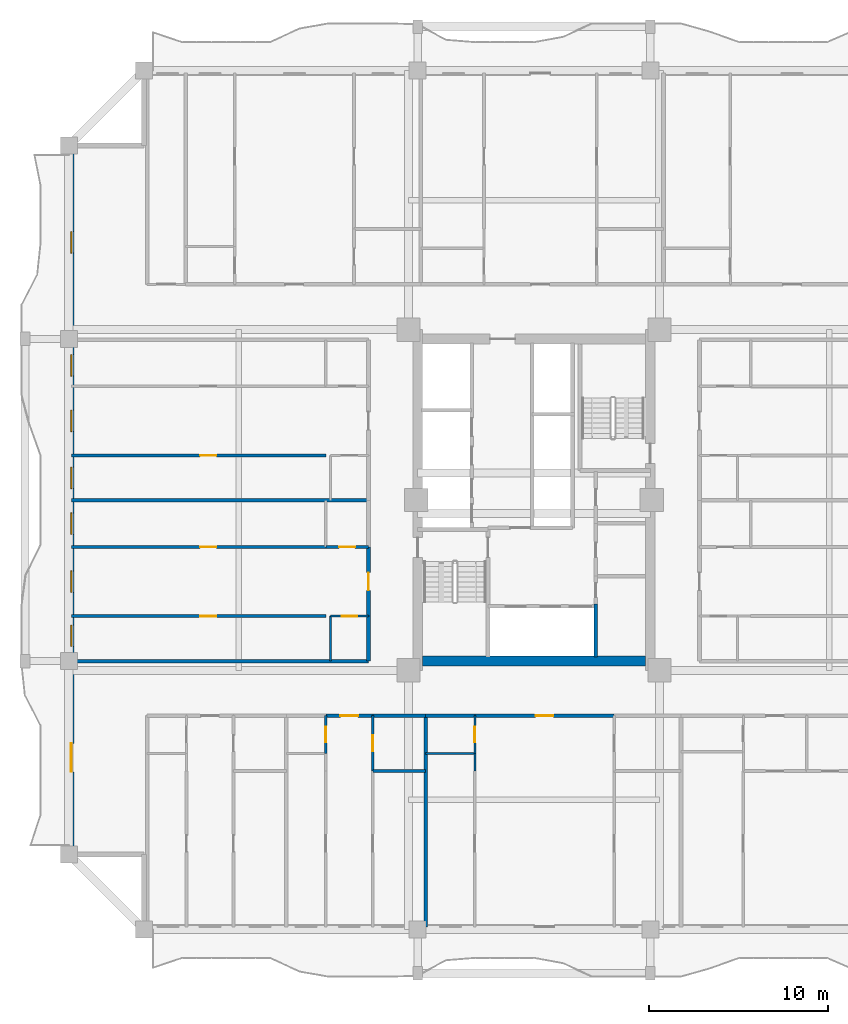
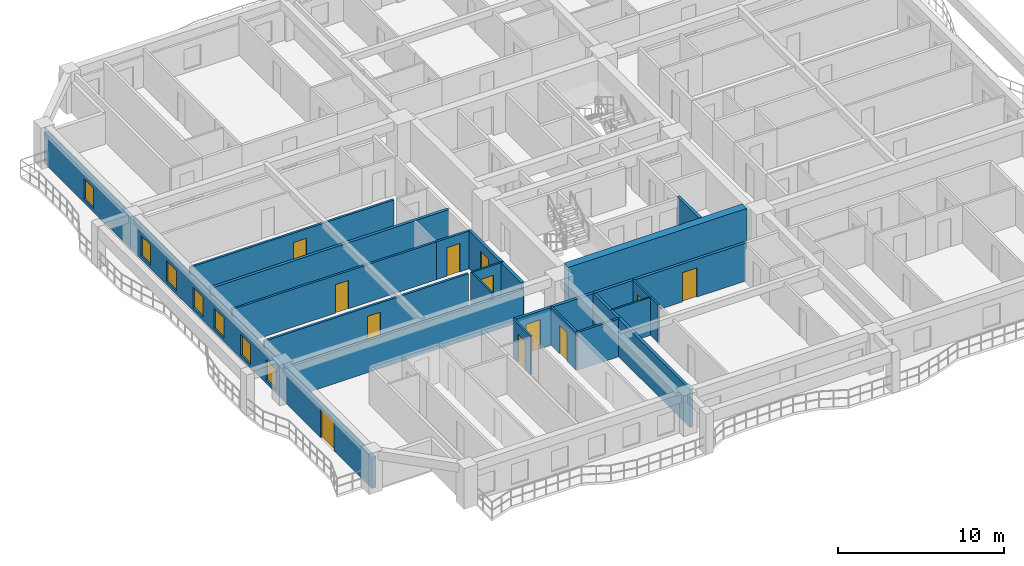
# One storey, part 3 of 15: 24 walls, 12 doors, 7 windows, 19 openings.
"""IFC4 building model written with IfcOpenShell, lengths in metres."""

from ifc_helpers import new_model, si_unit, direction, frame, frame_2d, origin, place, context, subcontext, project, spatial, rectangle, extrude, source, transform, mapped, material, layer, layer_set, type_object, element, fill, save


model = new_model("IFC4")

# Units and contexts
model_context = context("Model", 3, precision=1e-05, world=origin(), true_north=direction((0.0, 1.0)))
body_context = subcontext(model_context, "Body", "Model", "MODEL_VIEW")
ifc_project = project(units=[si_unit("LENGTHUNIT", "METRE"), si_unit("AREAUNIT", "SQUARE_METRE"), si_unit("VOLUMEUNIT", "CUBIC_METRE"), si_unit("PLANEANGLEUNIT", "RADIAN"), si_unit("MASSUNIT", "GRAM", prefix="KILO")], contexts=[model_context])

# Site, building, storey
site_placement = place(None, origin())
site = spatial("IfcSite", under=ifc_project, at=site_placement, CompositionType="ELEMENT")
building_placement = place(site_placement, origin())
building = spatial("IfcBuilding", under=site, at=building_placement, Name="Saelheon Loggia Tower", CompositionType="ELEMENT")
storey_placement = place(building_placement, frame((0.0, 0.0, 77.85009765625)))
storey = spatial("IfcBuildingStorey", under=building, at=storey_placement, Name="L24", CompositionType="ELEMENT", Elevation=77.85009765625)

# Wall
ifc_material_1 = material(Name="Concrete C50/60", Category="concrete")
ifc_layer_1 = layer(ifc_material_1, 0.550048828125)
ifc_layer_set_1 = layer_set([ifc_layer_1], Name="Concrete C50/60")
wall_type_1 = type_object("IfcWallType", Name="Wall_CoreShear_550", PredefinedType="SHEAR", material=ifc_layer_set_1)
wall_1_placement = place(storey_placement, frame((31.77490234375, 18.0, 0.0), z_axis=(0.0, 0.0, 1.0), x_axis=(1.0, 0.0, 0.0)))
element("IfcWall", 1, at=wall_1_placement, inside=storey, type_object=wall_type_1, Name="L24 Core Shear Wall South", PredefinedType="SHEAR", context=body_context, shape_type="SweptSolid", body=[
    extrude(rectangle(XDim=12.4501953125, YDim=0.550048828125, at=frame_2d((6.22509765625, 0.0))), origin(), (0.0, 0.0, 1.0), 3.0),
])

# Wall, openings, windows, door
ifc_material_2 = material(Name="Architectural Precast Concrete C40/50", Category="concrete")
ifc_layer_2 = layer(ifc_material_2, 0.280029296875)
ifc_layer_set_2 = layer_set([ifc_layer_2], Name="Architectural Precast Concrete C40/50")
wall_type_2 = type_object("IfcWallType", Name="Wall_Ext_Loggia_280", PredefinedType="SOLIDWALL", material=ifc_layer_set_2)
wall_2_placement = place(storey_placement, frame((12.139892578125, 7.199951171875, 0.0), z_axis=(0.0, 0.0, 1.0), x_axis=(0.0, 1.0, 0.0)))
wall_2 = element("IfcWall", 2, at=wall_2_placement, inside=storey, type_object=wall_type_2, Name="L24 West Loggia Inner Wall", PredefinedType="SOLIDWALL", context=body_context, shape_type="SweptSolid", body=[
    extrude(rectangle(XDim=39.60009765625, YDim=0.280029296875, at=frame_2d((19.800048828125, 0.0))), origin(), (0.0, 0.0, 1.0), 2.27978515625),
])
opening_1_placement = place(wall_2_placement, frame((4.60009765625, 0.0, 0.0)))
opening_1 = element("IfcOpeningElement", 3, at=opening_1_placement, cuts=wall_2, Name="Opening DLG-1", PredefinedType="OPENING", context=body_context, shape_type="SweptSolid", body=[
    extrude(rectangle(XDim=1.60009765625, YDim=2.14990234375, at=frame_2d((0.800048828125, 1.074951171875))), frame((0.0, 0.152099609375, 0.0), z_axis=(0.0, -1.0, 0.0), x_axis=(1.0, 0.0, 0.0)), (0.0, 0.0, 1.0), 0.303955078125),
])
opening_2_placement = place(wall_2_placement, frame((11.614013671875, 0.0, 0.25)))
opening_2 = element("IfcOpeningElement", 4, at=opening_2_placement, cuts=wall_2, Name="Opening WN-03", PredefinedType="OPENING", context=body_context, shape_type="SweptSolid", body=[
    extrude(rectangle(XDim=1.199951171875, YDim=1.5, at=frame_2d((0.60009765625, 0.75))), frame((0.0, 0.152099609375, 0.0), z_axis=(0.0, -1.0, 0.0), x_axis=(1.0, 0.0, 0.0)), (0.0, 0.0, 1.0), 0.303955078125),
])
opening_3_placement = place(wall_2_placement, frame((14.64404296875, 0.0, 0.25)))
opening_3 = element("IfcOpeningElement", 5, at=opening_3_placement, cuts=wall_2, Name="Opening WN-03", PredefinedType="OPENING", context=body_context, shape_type="SweptSolid", body=[
    extrude(rectangle(XDim=1.199951171875, YDim=1.5, at=frame_2d((0.60009765625, 0.75))), frame((0.0, 0.152099609375, 0.0), z_axis=(0.0, -1.0, 0.0), x_axis=(1.0, 0.0, 0.0)), (0.0, 0.0, 1.0), 0.303955078125),
])
opening_4_placement = place(wall_2_placement, frame((17.875, 0.0, 0.25)))
opening_4 = element("IfcOpeningElement", 6, at=opening_4_placement, cuts=wall_2, Name="Opening WN-03", PredefinedType="OPENING", context=body_context, shape_type="SweptSolid", body=[
    extrude(rectangle(XDim=1.199951171875, YDim=1.5, at=frame_2d((0.60009765625, 0.75))), frame((0.0, 0.152099609375, 0.0), z_axis=(0.0, -1.0, 0.0), x_axis=(1.0, 0.0, 0.0)), (0.0, 0.0, 1.0), 0.303955078125),
])
opening_5_placement = place(wall_2_placement, frame((20.431396484375, 0.0, 0.25)))
opening_5 = element("IfcOpeningElement", 7, at=opening_5_placement, cuts=wall_2, Name="Opening WN-03", PredefinedType="OPENING", context=body_context, shape_type="SweptSolid", body=[
    extrude(rectangle(XDim=1.199951171875, YDim=1.5, at=frame_2d((0.60009765625, 0.75))), frame((0.0, 0.152099609375, 0.0), z_axis=(0.0, -1.0, 0.0), x_axis=(1.0, 0.0, 0.0)), (0.0, 0.0, 1.0), 0.303955078125),
])
opening_6_placement = place(wall_2_placement, frame((23.618896484375, 0.0, 0.25)))
opening_6 = element("IfcOpeningElement", 8, at=opening_6_placement, cuts=wall_2, Name="Opening WN-03", PredefinedType="OPENING", context=body_context, shape_type="SweptSolid", body=[
    extrude(rectangle(XDim=1.199951171875, YDim=1.5, at=frame_2d((0.60009765625, 0.75))), frame((0.0, 0.152099609375, 0.0), z_axis=(0.0, -1.0, 0.0), x_axis=(1.0, 0.0, 0.0)), (0.0, 0.0, 1.0), 0.303955078125),
])
opening_7_placement = place(wall_2_placement, frame((26.717529296875, 0.0, 0.25)))
opening_7 = element("IfcOpeningElement", 9, at=opening_7_placement, cuts=wall_2, Name="Opening WN-03", PredefinedType="OPENING", context=body_context, shape_type="SweptSolid", body=[
    extrude(rectangle(XDim=1.199951171875, YDim=1.5, at=frame_2d((0.60009765625, 0.75))), frame((0.0, 0.152099609375, 0.0), z_axis=(0.0, -1.0, 0.0), x_axis=(1.0, 0.0, 0.0)), (0.0, 0.0, 1.0), 0.303955078125),
])
opening_8_placement = place(wall_2_placement, frame((33.60009765625, 0.0, 0.25)))
opening_8 = element("IfcOpeningElement", 10, at=opening_8_placement, cuts=wall_2, Name="Opening WN-03", PredefinedType="OPENING", context=body_context, shape_type="SweptSolid", body=[
    extrude(rectangle(XDim=1.199951171875, YDim=1.5, at=frame_2d((0.60009765625, 0.75))), frame((0.0, 0.152099609375, 0.0), z_axis=(0.0, -1.0, 0.0), x_axis=(1.0, 0.0, 0.0)), (0.0, 0.0, 1.0), 0.303955078125),
])
ifc_material_3 = material(Name="Thermal-Break Aluminium and Triple Low-E Glass", Category="aluminium")
window_type = type_object("IfcWindowType", Name="Win_Bedroom_1200x1500", PartitioningType="SINGLE_PANEL", PredefinedType="WINDOW", material=ifc_material_3)
shared_shape_1 = source(origin(), body_context, "Body", "SweptSolid", [
    extrude(rectangle(XDim=1.199951171875, YDim=1.5, at=frame_2d((0.60009765625, 0.75))), frame((0.0, 0.030029296875, 0.0), z_axis=(0.0, -1.0, 0.0), x_axis=(1.0, 0.0, 0.0)), (0.0, 0.0, 1.0), 0.06005859375),
])
window_1_placement = place(opening_2_placement, origin())
window_1 = element("IfcWindow", 11, at=window_1_placement, inside=storey, type_object=window_type, Name="L24 W Dwelling Window 2", OverallHeight=1.5, OverallWidth=1.199951171875, PartitioningType="SINGLE_PANEL", PredefinedType="WINDOW", context=body_context, shape_type="MappedRepresentation", body=[
    mapped(shared_shape_1, transform((0.0, 0.0, 0.0), scale=1.0)),
])
fill(opening_2, window_1)
window_2_placement = place(opening_3_placement, origin())
window_2 = element("IfcWindow", 12, at=window_2_placement, inside=storey, type_object=window_type, Name="L24 W Dwelling Window 3", OverallHeight=1.5, OverallWidth=1.199951171875, PartitioningType="SINGLE_PANEL", PredefinedType="WINDOW", context=body_context, shape_type="MappedRepresentation", body=[
    mapped(shared_shape_1, transform((0.0, 0.0, 0.0), scale=1.0)),
])
fill(opening_3, window_2)
window_3_placement = place(opening_4_placement, origin())
window_3 = element("IfcWindow", 13, at=window_3_placement, inside=storey, type_object=window_type, Name="L24 W Dwelling Window 4", OverallHeight=1.5, OverallWidth=1.199951171875, PartitioningType="SINGLE_PANEL", PredefinedType="WINDOW", context=body_context, shape_type="MappedRepresentation", body=[
    mapped(shared_shape_1, transform((0.0, 0.0, 0.0), scale=1.0)),
])
fill(opening_4, window_3)
window_4_placement = place(opening_5_placement, origin())
window_4 = element("IfcWindow", 14, at=window_4_placement, inside=storey, type_object=window_type, Name="L24 W Dwelling Window 5", OverallHeight=1.5, OverallWidth=1.199951171875, PartitioningType="SINGLE_PANEL", PredefinedType="WINDOW", context=body_context, shape_type="MappedRepresentation", body=[
    mapped(shared_shape_1, transform((0.0, 0.0, 0.0), scale=1.0)),
])
fill(opening_5, window_4)
window_5_placement = place(opening_6_placement, origin())
window_5 = element("IfcWindow", 15, at=window_5_placement, inside=storey, type_object=window_type, Name="L24 W Dwelling Window 6", OverallHeight=1.5, OverallWidth=1.199951171875, PartitioningType="SINGLE_PANEL", PredefinedType="WINDOW", context=body_context, shape_type="MappedRepresentation", body=[
    mapped(shared_shape_1, transform((0.0, 0.0, 0.0), scale=1.0)),
])
fill(opening_6, window_5)
window_6_placement = place(opening_7_placement, origin())
window_6 = element("IfcWindow", 16, at=window_6_placement, inside=storey, type_object=window_type, Name="L24 W Dwelling Window 7", OverallHeight=1.5, OverallWidth=1.199951171875, PartitioningType="SINGLE_PANEL", PredefinedType="WINDOW", context=body_context, shape_type="MappedRepresentation", body=[
    mapped(shared_shape_1, transform((0.0, 0.0, 0.0), scale=1.0)),
])
fill(opening_7, window_6)
window_7_placement = place(opening_8_placement, origin())
window_7 = element("IfcWindow", 17, at=window_7_placement, inside=storey, type_object=window_type, Name="L24 W Dwelling Window 8", OverallHeight=1.5, OverallWidth=1.199951171875, PartitioningType="SINGLE_PANEL", PredefinedType="WINDOW", context=body_context, shape_type="MappedRepresentation", body=[
    mapped(shared_shape_1, transform((0.0, 0.0, 0.0), scale=1.0)),
])
fill(opening_8, window_7)
ifc_material_4 = material(Name="Thermal-Break Aluminium Sliding Glazed Door", Category="aluminium")
door_type_1 = type_object("IfcDoorType", Name="Door_LoggiaSlide_1600", OperationType="SLIDING_TO_LEFT", PredefinedType="DOOR", material=ifc_material_4)
shared_shape_2 = source(origin(), body_context, "Body", "SweptSolid", [
    extrude(rectangle(XDim=1.60009765625, YDim=2.14990234375, at=frame_2d((0.800048828125, 1.074951171875))), frame((0.0, 0.02490234375, 0.0), z_axis=(0.0, -1.0, 0.0), x_axis=(1.0, 0.0, 0.0)), (0.0, 0.0, 1.0), 0.050048828125),
])
door_1_placement = place(opening_1_placement, origin())
door_1 = element("IfcDoor", 18, at=door_1_placement, inside=storey, type_object=door_type_1, Name="L24 W Loggia Access Door", OperationType="SLIDING_TO_LEFT", OverallHeight=2.14990234375, OverallWidth=1.60009765625, PredefinedType="DOOR", context=body_context, shape_type="MappedRepresentation", body=[
    mapped(shared_shape_2, transform((0.0, 0.0, 0.0), scale=1.0)),
])
fill(opening_1, door_1)

# Wall
ifc_material_5 = material(Name="Lightweight Autoclaved Aerated Concrete Block and Acoustic Gypsum", Category="concrete")
ifc_layer_3 = layer(ifc_material_5, 0.14990234375)
ifc_layer_set_3 = layer_set([ifc_layer_3], Name="Lightweight Autoclaved Aerated Concrete Block and Acoustic Gypsum")
wall_type_3 = type_object("IfcWallType", Name="Wall_Part_150", PredefinedType="PARTITIONING", material=ifc_layer_set_3)
wall_3_placement = place(storey_placement, frame((28.98876953125, 11.85009765625, 0.0), z_axis=(0.0, 0.0, 1.0), x_axis=(1.0, 0.0, 0.0)))
element("IfcWall", 19, at=wall_3_placement, inside=storey, type_object=wall_type_3, Name="L24 S Partition V18", PredefinedType="PARTITIONING", context=body_context, shape_type="SweptSolid", body=[
    extrude(rectangle(XDim=2.95751953125, YDim=0.14990234375, at=frame_2d((1.478759765625, 0.0))), origin(), (0.0, 0.0, 1.0), 2.789794921875),
])

# Wall, opening, door
wall_4_placement = place(storey_placement, frame((28.98876953125, 14.949951171875, 0.0), z_axis=(0.0, 0.0, 1.0), x_axis=(0.0, -1.0, 0.0)))
wall_4 = element("IfcWall", 20, at=wall_4_placement, inside=storey, type_object=wall_type_3, Name="L24 S Partition U22", PredefinedType="PARTITIONING", context=body_context, shape_type="SweptSolid", body=[
    extrude(rectangle(XDim=3.099853515625, YDim=0.14990234375, at=frame_2d((1.5498046875, 0.0))), origin(), (0.0, 0.0, 1.0), 2.789794921875),
])
opening_9_placement = place(wall_4_placement, frame((1.10009765625, 0.0, 0.0)))
opening_9 = element("IfcOpeningElement", 21, at=opening_9_placement, cuts=wall_4, Name="Opening D-IN2", PredefinedType="OPENING", context=body_context, shape_type="SweptSolid", body=[
    extrude(rectangle(XDim=0.89990234375, YDim=2.10009765625, at=frame_2d((0.449951171875, 1.050048828125))), frame((0.0, 0.0869140625, 0.0), z_axis=(0.0, -1.0, 0.0), x_axis=(1.0, 0.0, 0.0)), (0.0, 0.0, 1.0), 0.173828125),
])
ifc_material_6 = material(Name="Engineered Oak Flush Door", Category="timber")
door_type_2 = type_object("IfcDoorType", Name="Door_Int_900", OperationType="NOTDEFINED", PredefinedType="DOOR", material=ifc_material_6)
shared_shape_3 = source(origin(), body_context, "Body", "SweptSolid", [
    extrude(rectangle(XDim=0.89990234375, YDim=2.10009765625, at=frame_2d((0.449951171875, 1.050048828125))), frame((0.0, 0.02490234375, 0.0), z_axis=(0.0, -1.0, 0.0), x_axis=(1.0, 0.0, 0.0)), (0.0, 0.0, 1.0), 0.050048828125),
])
door_2_placement = place(opening_9_placement, origin())
door_2 = element("IfcDoor", 22, at=door_2_placement, inside=storey, type_object=door_type_2, Name="Unit U02 Dressing Closet Door", OperationType="SINGLE_SWING_RIGHT", OverallHeight=2.10009765625, OverallWidth=0.89990234375, PredefinedType="DOOR", context=body_context, shape_type="MappedRepresentation", body=[
    mapped(shared_shape_3, transform((0.0, 0.0, 0.0), scale=1.0)),
])
fill(opening_9, door_2)

wall_5_placement = place(storey_placement, frame((26.3701171875, 20.512939453125, 0.0), z_axis=(0.0, 0.0, 1.0), x_axis=(-1.0, 0.0, 0.0)))
wall_5 = element("IfcWall", 23, at=wall_5_placement, inside=storey, type_object=wall_type_3, Name="L24 W Partition U09", PredefinedType="PARTITIONING", context=body_context, shape_type="SweptSolid", body=[
    extrude(rectangle(XDim=14.22021484375, YDim=0.14990234375, at=frame_2d((7.110107421875, 0.0))), origin(), (0.0, 0.0, 1.0), 2.789794921875),
])
opening_10_placement = place(wall_5_placement, frame((6.125, 0.0, 0.0)))
opening_10 = element("IfcOpeningElement", 24, at=opening_10_placement, cuts=wall_5, Name="Opening D-IN2", PredefinedType="OPENING", context=body_context, shape_type="SweptSolid", body=[
    extrude(rectangle(XDim=0.89990234375, YDim=2.10009765625, at=frame_2d((0.449951171875, 1.050048828125))), frame((0.0, 0.0869140625, 0.0), z_axis=(0.0, -1.0, 0.0), x_axis=(1.0, 0.0, 0.0)), (0.0, 0.0, 1.0), 0.173828125),
])
door_3_placement = place(opening_10_placement, origin())
door_3 = element("IfcDoor", 25, at=door_3_placement, inside=storey, type_object=door_type_2, Name="Unit U08 Kitchen Door", OperationType="SINGLE_SWING_RIGHT", OverallHeight=2.10009765625, OverallWidth=0.89990234375, PredefinedType="DOOR", context=body_context, shape_type="MappedRepresentation", body=[
    mapped(shared_shape_3, transform((0.0, 0.0, 0.0), scale=1.0)),
])
fill(opening_10, door_3)

wall_6_placement = place(storey_placement, frame((28.75, 24.375, 0.0), z_axis=(0.0, 0.0, 1.0), x_axis=(-1.0, 0.0, 0.0)))
wall_6 = element("IfcWall", 26, at=wall_6_placement, inside=storey, type_object=wall_type_3, Name="L24 W Partition U10", PredefinedType="PARTITIONING", context=body_context, shape_type="SweptSolid", body=[
    extrude(rectangle(XDim=2.3798828125, YDim=0.14990234375, at=frame_2d((1.18994140625, 0.0))), origin(), (0.0, 0.0, 1.0), 2.789794921875),
])
opening_11_placement = place(wall_6_placement, frame((0.739990234375, 0.0, 0.0)))
opening_11 = element("IfcOpeningElement", 27, at=opening_11_placement, cuts=wall_6, Name="Opening D-IN2", PredefinedType="OPENING", context=body_context, shape_type="SweptSolid", body=[
    extrude(rectangle(XDim=0.89990234375, YDim=2.10009765625, at=frame_2d((0.449951171875, 1.050048828125))), frame((0.0, 0.0869140625, 0.0), z_axis=(0.0, -1.0, 0.0), x_axis=(1.0, 0.0, 0.0)), (0.0, 0.0, 1.0), 0.173828125),
])
door_4_placement = place(opening_11_placement, origin())
door_4 = element("IfcDoor", 28, at=door_4_placement, inside=storey, type_object=door_type_2, Name="Unit U08 Dressing Closet Door", OperationType="SINGLE_SWING_LEFT", OverallHeight=2.10009765625, OverallWidth=0.89990234375, PredefinedType="DOOR", context=body_context, shape_type="MappedRepresentation", body=[
    mapped(shared_shape_3, transform((0.0, 0.0, 0.0), scale=1.0)),
])
fill(opening_11, door_4)

wall_7_placement = place(storey_placement, frame((26.3701171875, 24.375, 0.0), z_axis=(0.0, 0.0, 1.0), x_axis=(-1.0, 0.0, 0.0)))
wall_7 = element("IfcWall", 29, at=wall_7_placement, inside=storey, type_object=wall_type_3, Name="L24 W Partition U11", PredefinedType="PARTITIONING", context=body_context, shape_type="SweptSolid", body=[
    extrude(rectangle(XDim=14.22021484375, YDim=0.14990234375, at=frame_2d((7.110107421875, 0.0))), origin(), (0.0, 0.0, 1.0), 2.789794921875),
])
opening_12_placement = place(wall_7_placement, frame((6.125, 0.0, 0.0)))
opening_12 = element("IfcOpeningElement", 30, at=opening_12_placement, cuts=wall_7, Name="Opening D-IN2", PredefinedType="OPENING", context=body_context, shape_type="SweptSolid", body=[
    extrude(rectangle(XDim=0.89990234375, YDim=2.10009765625, at=frame_2d((0.449951171875, 1.050048828125))), frame((0.0, 0.0869140625, 0.0), z_axis=(0.0, -1.0, 0.0), x_axis=(1.0, 0.0, 0.0)), (0.0, 0.0, 1.0), 0.173828125),
])
door_5_placement = place(opening_12_placement, origin())
door_5 = element("IfcDoor", 31, at=door_5_placement, inside=storey, type_object=door_type_2, Name="Unit U08 Bedroom 1 Door", OperationType="SINGLE_SWING_RIGHT", OverallHeight=2.10009765625, OverallWidth=0.89990234375, PredefinedType="DOOR", context=body_context, shape_type="MappedRepresentation", body=[
    mapped(shared_shape_3, transform((0.0, 0.0, 0.0), scale=1.0)),
])
fill(opening_12, door_5)

wall_8_placement = place(storey_placement, frame((26.3701171875, 29.488037109375, 0.0), z_axis=(0.0, 0.0, 1.0), x_axis=(-1.0, 0.0, 0.0)))
wall_8 = element("IfcWall", 32, at=wall_8_placement, inside=storey, type_object=wall_type_3, Name="L24 W Partition U19", PredefinedType="PARTITIONING", context=body_context, shape_type="SweptSolid", body=[
    extrude(rectangle(XDim=14.22021484375, YDim=0.14990234375, at=frame_2d((7.110107421875, 0.0))), origin(), (0.0, 0.0, 1.0), 2.789794921875),
])
opening_13_placement = place(wall_8_placement, frame((6.125, 0.0, 0.0)))
opening_13 = element("IfcOpeningElement", 33, at=opening_13_placement, cuts=wall_8, Name="Opening D-IN2", PredefinedType="OPENING", context=body_context, shape_type="SweptSolid", body=[
    extrude(rectangle(XDim=0.89990234375, YDim=2.10009765625, at=frame_2d((0.449951171875, 1.050048828125))), frame((0.0, 0.0869140625, 0.0), z_axis=(0.0, -1.0, 0.0), x_axis=(1.0, 0.0, 0.0)), (0.0, 0.0, 1.0), 0.173828125),
])
door_6_placement = place(opening_13_placement, origin())
door_6 = element("IfcDoor", 34, at=door_6_placement, inside=storey, type_object=door_type_2, Name="Unit U09 Kitchen Door", OperationType="SINGLE_SWING_LEFT", OverallHeight=2.10009765625, OverallWidth=0.89990234375, PredefinedType="DOOR", context=body_context, shape_type="MappedRepresentation", body=[
    mapped(shared_shape_3, transform((0.0, 0.0, 0.0), scale=1.0)),
])
fill(opening_13, door_6)

ifc_material_7 = material(Name="Double Acoustic Stud and Fireboard Partition", Category="gypsum")
ifc_layer_4 = layer(ifc_material_7, 0.199951171875)
ifc_layer_set_4 = layer_set([ifc_layer_4], Name="Double Acoustic Stud and Fireboard Partition")
wall_type_4 = type_object("IfcWallType", Name="Wall_Party_200", PredefinedType="PARTITIONING", material=ifc_layer_set_4)
wall_9_placement = place(storey_placement, frame((26.36328125, 14.949951171875, 0.0), z_axis=(0.0, 0.0, 1.0), x_axis=(1.0, 0.0, 0.0)))
wall_9 = element("IfcWall", 35, at=wall_9_placement, inside=storey, type_object=wall_type_4, Name="L24 S Partition V15", PredefinedType="PARTITIONING", context=body_context, shape_type="SweptSolid", body=[
    extrude(rectangle(XDim=2.62548828125, YDim=0.199951171875, at=frame_2d((1.312744140625, 0.0))), origin(), (0.0, 0.0, 1.0), 2.789794921875),
])
opening_14_placement = place(wall_9_placement, frame((0.812744140625, 0.0, 0.0)))
opening_14 = element("IfcOpeningElement", 36, at=opening_14_placement, cuts=wall_9, Name="Opening D-FD1", PredefinedType="OPENING", context=body_context, shape_type="SweptSolid", body=[
    extrude(rectangle(XDim=1.0, YDim=2.14990234375, at=frame_2d((0.5, 1.074951171875))), frame((0.0, 0.112060546875, 0.0), z_axis=(0.0, -1.0, 0.0), x_axis=(1.0, 0.0, 0.0)), (0.0, 0.0, 1.0), 0.223876953125),
])
ifc_material_8 = material(Name="Fire-Rated Engineered Timber Entrance Door", Category="wood")
door_type_3 = type_object("IfcDoorType", Name="Door_Flat_FD30S", OperationType="NOTDEFINED", PredefinedType="DOOR", material=ifc_material_8)
shared_shape_4 = source(origin(), body_context, "Body", "SweptSolid", [
    extrude(rectangle(XDim=1.0, YDim=2.14990234375, at=frame_2d((0.5, 1.074951171875))), frame((0.0, 0.02490234375, 0.0), z_axis=(0.0, -1.0, 0.0), x_axis=(1.0, 0.0, 0.0)), (0.0, 0.0, 1.0), 0.050048828125),
])
door_7_placement = place(opening_14_placement, origin())
door_7 = element("IfcDoor", 37, at=door_7_placement, inside=storey, type_object=door_type_3, Name="Unit U02 Entrance Door", OperationType="SINGLE_SWING_LEFT", OverallHeight=2.14990234375, OverallWidth=1.0, PredefinedType="DOOR", context=body_context, shape_type="MappedRepresentation", body=[
    mapped(shared_shape_4, transform((0.0, 0.0, 0.0), scale=1.0)),
])
fill(opening_14, door_7)

# Walls
wall_10_placement = place(storey_placement, frame((28.98876953125, 14.949951171875, 0.0), z_axis=(0.0, 0.0, 1.0), x_axis=(1.0, 0.0, 0.0)))
element("IfcWall", 38, at=wall_10_placement, inside=storey, type_object=wall_type_4, Name="L24 S Partition V16", PredefinedType="PARTITIONING", context=body_context, shape_type="SweptSolid", body=[
    extrude(rectangle(XDim=2.95751953125, YDim=0.199951171875, at=frame_2d((1.478759765625, 0.0))), origin(), (0.0, 0.0, 1.0), 2.789794921875),
])
wall_11_placement = place(storey_placement, frame((31.9462890625, 14.949951171875, 0.0), z_axis=(0.0, 0.0, 1.0), x_axis=(0.0, -1.0, 0.0)))
element("IfcWall", 39, at=wall_11_placement, inside=storey, type_object=wall_type_4, Name="L24 S Partition U24", PredefinedType="PARTITIONING", context=body_context, shape_type="SweptSolid", body=[
    extrude(rectangle(XDim=11.800048828125, YDim=0.199951171875, at=frame_2d((5.89990234375, 0.0))), origin(), (0.0, 0.0, 1.0), 2.789794921875),
])
wall_12_placement = place(storey_placement, frame((31.9462890625, 14.949951171875, 0.0), z_axis=(0.0, 0.0, 1.0), x_axis=(1.0, 0.0, 0.0)))
element("IfcWall", 40, at=wall_12_placement, inside=storey, type_object=wall_type_4, Name="L24 S Partition V25", PredefinedType="PARTITIONING", context=body_context, shape_type="SweptSolid", body=[
    extrude(rectangle(XDim=2.75, YDim=0.199951171875, at=frame_2d((1.375, 0.0))), origin(), (0.0, 0.0, 1.0), 2.789794921875),
])

# Wall, opening, door
wall_13_placement = place(storey_placement, frame((34.6962890625, 14.949951171875, 0.0), z_axis=(0.0, 0.0, 1.0), x_axis=(1.0, 0.0, 0.0)))
wall_13 = element("IfcWall", 41, at=wall_13_placement, inside=storey, type_object=wall_type_4, Name="L24 S Partition V26", PredefinedType="PARTITIONING", context=body_context, shape_type="SweptSolid", body=[
    extrude(rectangle(XDim=7.78369140625, YDim=0.199951171875, at=frame_2d((3.891845703125, 0.0))), origin(), (0.0, 0.0, 1.0), 2.789794921875),
])
opening_15_placement = place(wall_13_placement, frame((3.391845703125, 0.0, 0.0)))
opening_15 = element("IfcOpeningElement", 42, at=opening_15_placement, cuts=wall_13, Name="Opening D-FD1", PredefinedType="OPENING", context=body_context, shape_type="SweptSolid", body=[
    extrude(rectangle(XDim=1.0, YDim=2.14990234375, at=frame_2d((0.5, 1.074951171875))), frame((0.0, 0.112060546875, 0.0), z_axis=(0.0, -1.0, 0.0), x_axis=(1.0, 0.0, 0.0)), (0.0, 0.0, 1.0), 0.223876953125),
])
door_8_placement = place(opening_15_placement, origin())
door_8 = element("IfcDoor", 43, at=door_8_placement, inside=storey, type_object=door_type_3, Name="Unit U03 Entrance Door", OperationType="SINGLE_SWING_RIGHT", OverallHeight=2.14990234375, OverallWidth=1.0, PredefinedType="DOOR", context=body_context, shape_type="MappedRepresentation", body=[
    mapped(shared_shape_4, transform((0.0, 0.0, 0.0), scale=1.0)),
])
fill(opening_15, door_8)

# Walls
wall_14_placement = place(storey_placement, frame((28.75, 18.0, 0.0), z_axis=(0.0, 0.0, 1.0), x_axis=(-1.0, 0.0, 0.0)))
element("IfcWall", 44, at=wall_14_placement, inside=storey, type_object=wall_type_4, Name="L24 W Partition U01", PredefinedType="PARTITIONING", context=body_context, shape_type="SweptSolid", body=[
    extrude(rectangle(XDim=16.60009765625, YDim=0.199951171875, at=frame_2d((8.300048828125, 0.0))), origin(), (0.0, 0.0, 1.0), 2.33984375),
])
wall_15_placement = place(storey_placement, frame((28.75, 18.0, 0.0), z_axis=(0.0, 0.0, 1.0), x_axis=(0.0, 1.0, 0.0)))
element("IfcWall", 45, at=wall_15_placement, inside=storey, type_object=wall_type_4, Name="L24 W Partition V03", PredefinedType="PARTITIONING", context=body_context, shape_type="SweptSolid", body=[
    extrude(rectangle(XDim=2.512939453125, YDim=0.199951171875, at=frame_2d((1.25634765625, 0.0))), origin(), (0.0, 0.0, 1.0), 2.789794921875),
])

# Wall, opening, door
wall_16_placement = place(storey_placement, frame((28.75, 20.512939453125, 0.0), z_axis=(0.0, 0.0, 1.0), x_axis=(0.0, 1.0, 0.0)))
wall_16 = element("IfcWall", 46, at=wall_16_placement, inside=storey, type_object=wall_type_4, Name="L24 W Partition V04", PredefinedType="PARTITIONING", context=body_context, shape_type="SweptSolid", body=[
    extrude(rectangle(XDim=3.862060546875, YDim=0.199951171875, at=frame_2d((1.93115234375, 0.0))), origin(), (0.0, 0.0, 1.0), 2.789794921875),
])
opening_16_placement = place(wall_16_placement, frame((1.430908203125, 0.0, 0.0)))
opening_16 = element("IfcOpeningElement", 47, at=opening_16_placement, cuts=wall_16, Name="Opening D-FD1", PredefinedType="OPENING", context=body_context, shape_type="SweptSolid", body=[
    extrude(rectangle(XDim=1.0, YDim=2.14990234375, at=frame_2d((0.5, 1.074951171875))), frame((0.0, 0.112060546875, 0.0), z_axis=(0.0, -1.0, 0.0), x_axis=(1.0, 0.0, 0.0)), (0.0, 0.0, 1.0), 0.223876953125),
])
door_9_placement = place(opening_16_placement, origin())
door_9 = element("IfcDoor", 48, at=door_9_placement, inside=storey, type_object=door_type_3, Name="Unit U08 Entrance Door", OperationType="SINGLE_SWING_RIGHT", OverallHeight=2.14990234375, OverallWidth=1.0, PredefinedType="DOOR", context=body_context, shape_type="MappedRepresentation", body=[
    mapped(shared_shape_4, transform((0.0, 0.0, 0.0), scale=1.0)),
])
fill(opening_16, door_9)

# Walls
wall_17_placement = place(storey_placement, frame((28.75, 26.97509765625, 0.0), z_axis=(0.0, 0.0, 1.0), x_axis=(-1.0, 0.0, 0.0)))
element("IfcWall", 49, at=wall_17_placement, inside=storey, type_object=wall_type_4, Name="L24 W Partition U12", PredefinedType="PARTITIONING", context=body_context, shape_type="SweptSolid", body=[
    extrude(rectangle(XDim=16.60009765625, YDim=0.199951171875, at=frame_2d((8.300048828125, 0.0))), origin(), (0.0, 0.0, 1.0), 2.789794921875),
])
ifc_material_9 = material(Name="Concrete C40/50", Category="concrete")
ifc_layer_5 = layer(ifc_material_9, 0.199951171875)
ifc_layer_set_5 = layer_set([ifc_layer_5], Name="Concrete C40/50")
wall_type_5 = type_object("IfcWallType", Name="Wall_Shaft_200", PredefinedType="PARTITIONING", material=ifc_layer_set_5)
wall_18_placement = place(storey_placement, frame((41.449951171875, 18.219970703125, 0.0), z_axis=(0.0, 0.0, 1.0), x_axis=(0.0, 1.0, 0.0)))
element("IfcWall", 50, at=wall_18_placement, inside=storey, type_object=wall_type_5, Name="CW-INT-L24-BOH-W0", PredefinedType="PARTITIONING", context=body_context, shape_type="SweptSolid", body=[
    extrude(rectangle(XDim=2.9599609375, YDim=0.199951171875, at=frame_2d((1.47998046875, 0.0))), origin(), (0.0, 0.0, 1.0), 2.789794921875),
])

# Wall, opening, door
ifc_material_10 = material(Name="Moisture-Resistant Cement Board Partition", Category="gypsum")
ifc_layer_6 = layer(ifc_material_10, 0.1201171875)
ifc_layer_set_6 = layer_set([ifc_layer_6], Name="Moisture-Resistant Cement Board Partition")
wall_type_6 = type_object("IfcWallType", Name="Wall_WetPart_120", PredefinedType="PARTITIONING", material=ifc_layer_set_6)
wall_19_placement = place(storey_placement, frame((26.36328125, 14.949951171875, 0.0), z_axis=(0.0, 0.0, 1.0), x_axis=(0.0, -1.0, 0.0)))
wall_19 = element("IfcWall", 51, at=wall_19_placement, inside=storey, type_object=wall_type_6, Name="L24 S Partition U19", PredefinedType="PARTITIONING", context=body_context, shape_type="SweptSolid", body=[
    extrude(rectangle(XDim=2.119873046875, YDim=0.1201171875, at=frame_2d((1.06005859375, 0.0))), origin(), (0.0, 0.0, 1.0), 2.789794921875),
])
opening_17_placement = place(wall_19_placement, frame((0.635009765625, 0.0, 0.0)))
opening_17 = element("IfcOpeningElement", 52, at=opening_17_placement, cuts=wall_19, Name="Opening D-BT1", PredefinedType="OPENING", context=body_context, shape_type="SweptSolid", body=[
    extrude(rectangle(XDim=0.85009765625, YDim=2.050048828125, at=frame_2d((0.425048828125, 1.02490234375))), frame((0.0, 0.072021484375, 0.0), z_axis=(0.0, -1.0, 0.0), x_axis=(1.0, 0.0, 0.0)), (0.0, 0.0, 1.0), 0.14404296875),
])
ifc_material_11 = material(Name="Moisture-Resistant Laminate Timber Door", Category="wood")
door_type_4 = type_object("IfcDoorType", Name="Door_Bath_850", OperationType="NOTDEFINED", PredefinedType="DOOR", material=ifc_material_11)
shared_shape_5 = source(origin(), body_context, "Body", "SweptSolid", [
    extrude(rectangle(XDim=0.85009765625, YDim=2.050048828125, at=frame_2d((0.425048828125, 1.02490234375))), frame((0.0, 0.02490234375, 0.0), z_axis=(0.0, -1.0, 0.0), x_axis=(1.0, 0.0, 0.0)), (0.0, 0.0, 1.0), 0.050048828125),
])
door_10_placement = place(opening_17_placement, origin())
door_10 = element("IfcDoor", 53, at=door_10_placement, inside=storey, type_object=door_type_4, Name="Unit U02 Bathroom Door", OperationType="SINGLE_SWING_RIGHT", OverallHeight=2.050048828125, OverallWidth=0.85009765625, PredefinedType="DOOR", context=body_context, shape_type="MappedRepresentation", body=[
    mapped(shared_shape_5, transform((0.0, 0.0, 0.0), scale=1.0)),
])
fill(opening_17, door_10)

# Wall
wall_20_placement = place(storey_placement, frame((31.9462890625, 12.830078125, 0.0), z_axis=(0.0, 0.0, 1.0), x_axis=(1.0, 0.0, 0.0)))
element("IfcWall", 54, at=wall_20_placement, inside=storey, type_object=wall_type_6, Name="L24 S Partition V28", PredefinedType="PARTITIONING", context=body_context, shape_type="SweptSolid", body=[
    extrude(rectangle(XDim=2.75, YDim=0.1201171875, at=frame_2d((1.375, 0.0))), origin(), (0.0, 0.0, 1.0), 2.789794921875),
])

# Wall, opening, door
wall_21_placement = place(storey_placement, frame((34.6962890625, 14.949951171875, 0.0), z_axis=(0.0, 0.0, 1.0), x_axis=(0.0, -1.0, 0.0)))
wall_21 = element("IfcWall", 55, at=wall_21_placement, inside=storey, type_object=wall_type_6, Name="L24 S Partition U30", PredefinedType="PARTITIONING", context=body_context, shape_type="SweptSolid", body=[
    extrude(rectangle(XDim=2.119873046875, YDim=0.1201171875, at=frame_2d((1.06005859375, 0.0))), origin(), (0.0, 0.0, 1.0), 2.789794921875),
])
opening_18_placement = place(wall_21_placement, frame((0.635009765625, 0.0, 0.0)))
opening_18 = element("IfcOpeningElement", 56, at=opening_18_placement, cuts=wall_21, Name="Opening D-BT1", PredefinedType="OPENING", context=body_context, shape_type="SweptSolid", body=[
    extrude(rectangle(XDim=0.85009765625, YDim=2.050048828125, at=frame_2d((0.425048828125, 1.02490234375))), frame((0.0, 0.072021484375, 0.0), z_axis=(0.0, -1.0, 0.0), x_axis=(1.0, 0.0, 0.0)), (0.0, 0.0, 1.0), 0.14404296875),
])
door_11_placement = place(opening_18_placement, origin())
door_11 = element("IfcDoor", 57, at=door_11_placement, inside=storey, type_object=door_type_4, Name="Unit U03 Bathroom Door", OperationType="SINGLE_SWING_LEFT", OverallHeight=2.050048828125, OverallWidth=0.85009765625, PredefinedType="DOOR", context=body_context, shape_type="MappedRepresentation", body=[
    mapped(shared_shape_5, transform((0.0, 0.0, 0.0), scale=1.0)),
])
fill(opening_18, door_11)

# Walls
wall_22_placement = place(storey_placement, frame((34.6962890625, 12.830078125, 0.0), z_axis=(0.0, 0.0, 1.0), x_axis=(0.0, -1.0, 0.0)))
element("IfcWall", 58, at=wall_22_placement, inside=storey, type_object=wall_type_6, Name="L24 S Partition U31", PredefinedType="PARTITIONING", context=body_context, shape_type="SweptSolid", body=[
    extrude(rectangle(XDim=0.97998046875, YDim=0.1201171875, at=frame_2d((0.489990234375, 0.0))), origin(), (0.0, 0.0, 1.0), 2.789794921875),
])
wall_23_placement = place(storey_placement, frame((26.6298828125, 18.0, 0.0), z_axis=(0.0, 0.0, 1.0), x_axis=(0.0, 1.0, 0.0)))
element("IfcWall", 59, at=wall_23_placement, inside=storey, type_object=wall_type_6, Name="L24 W Partition V06", PredefinedType="PARTITIONING", context=body_context, shape_type="SweptSolid", body=[
    extrude(rectangle(XDim=2.512939453125, YDim=0.1201171875, at=frame_2d((1.25634765625, 0.0))), origin(), (0.0, 0.0, 1.0), 2.789794921875),
])

# Wall, opening, door
wall_24_placement = place(storey_placement, frame((28.75, 20.512939453125, 0.0), z_axis=(0.0, 0.0, 1.0), x_axis=(-1.0, 0.0, 0.0)))
wall_24 = element("IfcWall", 60, at=wall_24_placement, inside=storey, type_object=wall_type_6, Name="L24 W Partition U08", PredefinedType="PARTITIONING", context=body_context, shape_type="SweptSolid", body=[
    extrude(rectangle(XDim=2.1201171875, YDim=0.1201171875, at=frame_2d((1.06005859375, 0.0))), origin(), (0.0, 0.0, 1.0), 2.789794921875),
])
opening_19_placement = place(wall_24_placement, frame((0.635009765625, 0.0, 0.0)))
opening_19 = element("IfcOpeningElement", 61, at=opening_19_placement, cuts=wall_24, Name="Opening D-BT1", PredefinedType="OPENING", context=body_context, shape_type="SweptSolid", body=[
    extrude(rectangle(XDim=0.85009765625, YDim=2.050048828125, at=frame_2d((0.425048828125, 1.02490234375))), frame((0.0, 0.072021484375, 0.0), z_axis=(0.0, -1.0, 0.0), x_axis=(1.0, 0.0, 0.0)), (0.0, 0.0, 1.0), 0.14404296875),
])
door_12_placement = place(opening_19_placement, origin())
door_12 = element("IfcDoor", 62, at=door_12_placement, inside=storey, type_object=door_type_4, Name="Unit U08 Bathroom Door", OperationType="SINGLE_SWING_LEFT", OverallHeight=2.050048828125, OverallWidth=0.85009765625, PredefinedType="DOOR", context=body_context, shape_type="MappedRepresentation", body=[
    mapped(shared_shape_5, transform((0.0, 0.0, 0.0), scale=1.0)),
])
fill(opening_19, door_12)

save(model, "model.ifc")
